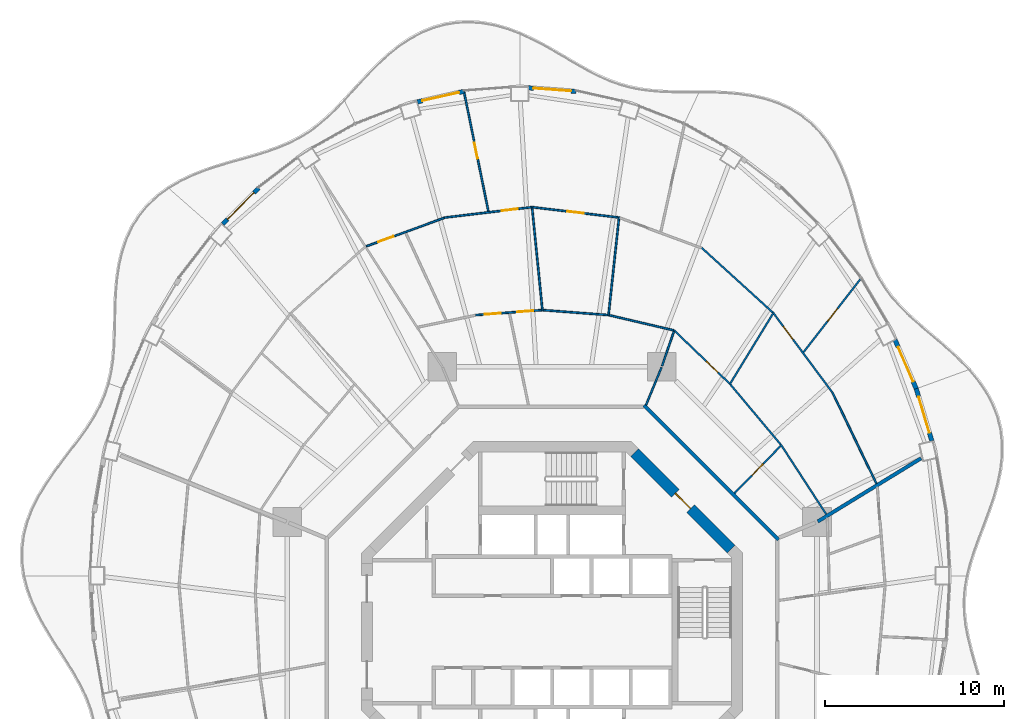
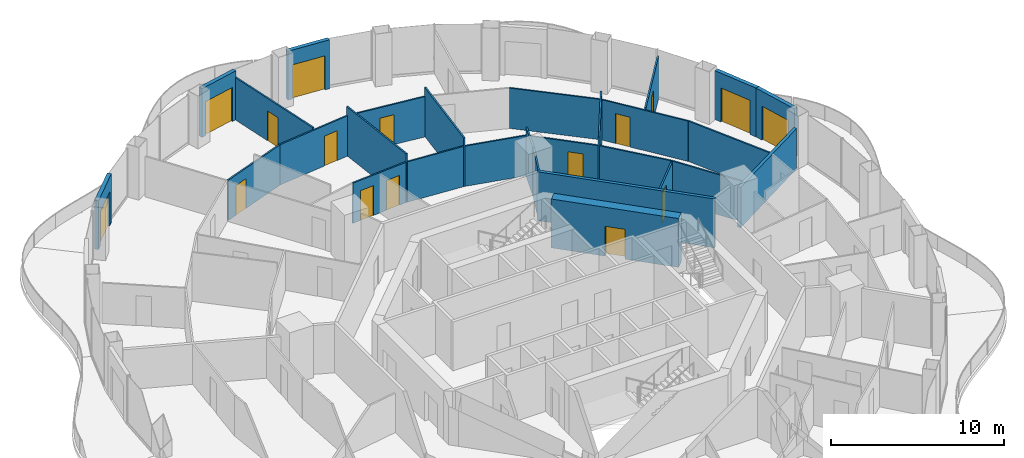
# One storey, part 14 of 18: 28 walls, 16 doors, 16 openings.
"""IFC4 building model written with IfcOpenShell, lengths in metres."""

from ifc_helpers import new_model, si_unit, direction, frame, frame_2d, origin, place, context, subcontext, project, spatial, rectangle, extrude, material, layer, layer_set, type_object, element, fill, save


model = new_model("IFC4")

# Units and contexts
model_context = context("Model", 3, precision=1e-05, world=origin(), true_north=direction((0.0, 1.0)))
body_context = subcontext(model_context, "Body", "Model", "MODEL_VIEW")
ifc_project = project(units=[si_unit("LENGTHUNIT", "METRE"), si_unit("AREAUNIT", "SQUARE_METRE"), si_unit("VOLUMEUNIT", "CUBIC_METRE"), si_unit("PLANEANGLEUNIT", "RADIAN"), si_unit("MASSUNIT", "GRAM", prefix="KILO")], contexts=[model_context])

# Site, building, storey
site_placement = place(None, origin())
site = spatial("IfcSite", under=ifc_project, at=site_placement, CompositionType="ELEMENT")
building_placement = place(site_placement, origin())
building = spatial("IfcBuilding", under=site, at=building_placement, Name="Nagisa Residences", CompositionType="ELEMENT")
storey_placement = place(building_placement, frame((0.0, 0.0, 230.699951171875)))
storey = spatial("IfcBuildingStorey", under=building, at=storey_placement, Name="L58", CompositionType="ELEMENT", Elevation=230.699951171875)

# Walls
ifc_material_1 = material(Name="Gypsum board on steel studs", Category="steel")
ifc_layer_1 = layer(ifc_material_1, 0.199951171875)
ifc_layer_set_1 = layer_set([ifc_layer_1], Name="Apartment compartment wall EI60 200")
wall_type_1 = type_object("IfcWallType", Name="Apartment compartment wall EI60 200", PredefinedType="PARTITIONING", material=ifc_layer_set_1)
wall_1_placement = place(storey_placement, frame((14.82470703125, 6.149169921875, 0.0), z_axis=(0.0, 0.0, 1.0), x_axis=(0.852781365284, 0.522268075824, 0.0)))
element("IfcWall", 1, at=wall_1_placement, inside=storey, type_object=wall_type_1, Name="wall:L58:u01", PredefinedType="PARTITIONING", context=body_context, shape_type="SweptSolid", body=[
    extrude(rectangle(XDim=6.758056640625, YDim=0.199951171875, at=frame_2d((3.37890625, 0.0))), origin(), (0.0, 0.0, 1.0), 2.837158203125),
])
ifc_material_2 = material(Name="Gypsum board on steel studs", Category="steel")
ifc_layer_2 = layer(ifc_material_2, 0.199951171875)
ifc_layer_set_2 = layer_set([ifc_layer_2], Name="Apartment entry wall EI60 200")
wall_type_2 = type_object("IfcWallType", Name="Apartment entry wall EI60 200", PredefinedType="PARTITIONING", material=ifc_layer_set_2)
wall_2_placement = place(storey_placement, frame((12.635498046875, 5.1337890625, 0.0), z_axis=(0.0, 0.0, 1.0), x_axis=(-0.707106781187, 0.707106781187, 0.0)))
element("IfcWall", 2, at=wall_2_placement, inside=storey, type_object=wall_type_2, Name="wall:L58:u11", PredefinedType="PARTITIONING", context=body_context, shape_type="SweptSolid", body=[
    extrude(rectangle(XDim=10.609130859375, YDim=0.199951171875, at=frame_2d((5.3046875, 0.0))), origin(), (0.0, 0.0, 1.0), 3.43994140625),
])
ifc_material_3 = material(Name="Gypsum board on steel studs", Category="steel")
ifc_layer_3 = layer(ifc_material_3, 0.10009765625)
ifc_layer_set_3 = layer_set([ifc_layer_3], Name="Apartment partition 100")
wall_type_3 = type_object("IfcWallType", Name="Apartment partition 100", PredefinedType="PARTITIONING", material=ifc_layer_set_3)
wall_3_placement = place(storey_placement, frame((15.295166015625, 6.554443359375, 0.0), z_axis=(0.0, 0.0, 1.0), x_axis=(-0.545186120363, 0.838315032767, 0.0)))
element("IfcWall", 3, at=wall_3_placement, inside=storey, type_object=wall_type_3, Name="wall:L58:u23", PredefinedType="PARTITIONING", context=body_context, shape_type="SweptSolid", body=[
    extrude(rectangle(XDim=4.642578125, YDim=0.10009765625, at=frame_2d((2.3212890625, 0.0))), origin(), (0.0, 0.0, 1.0), 2.837158203125),
])
wall_4_placement = place(storey_placement, frame((18.094970703125, 8.2685546875, 0.0), z_axis=(0.0, 0.0, 1.0), x_axis=(-0.434640773561, 0.900603907363, 0.0)))
element("IfcWall", 4, at=wall_4_placement, inside=storey, type_object=wall_type_3, Name="wall:L58:u24", PredefinedType="PARTITIONING", context=body_context, shape_type="SweptSolid", body=[
    extrude(rectangle(XDim=5.67431640625, YDim=0.10009765625, at=frame_2d((2.837158203125, 0.0))), origin(), (0.0, 0.0, 1.0), 2.837158203125),
])

# Wall, opening, door
wall_5_placement = place(storey_placement, frame((10.18115234375, 7.7294921875, 0.0), z_axis=(0.0, 0.0, 1.0), x_axis=(0.69841402561, 0.71569396311, 0.0)))
wall_5 = element("IfcWall", 5, at=wall_5_placement, inside=storey, type_object=wall_type_3, Name="wall:L58:u25", PredefinedType="PARTITIONING", context=body_context, shape_type="SweptSolid", body=[
    extrude(rectangle(XDim=3.6875, YDim=0.10009765625, at=frame_2d((1.84375, 0.0))), origin(), (0.0, 0.0, 1.0), 2.761962890625),
])
opening_1_placement = place(wall_5_placement, frame((1.393798828125, 0.0, 0.0)))
opening_1 = element("IfcOpeningElement", 6, at=opening_1_placement, cuts=wall_5, Name="Opening L58-U55", PredefinedType="OPENING", context=body_context, shape_type="SweptSolid", body=[
    extrude(rectangle(XDim=0.89990234375, YDim=2.10009765625, at=frame_2d((0.449951171875, 1.050048828125))), frame((0.0, 0.06005859375, 0.0), z_axis=(0.0, -1.0, 0.0), x_axis=(1.0, 0.0, 0.0)), (0.0, 0.0, 1.0), 0.1201171875),
])
ifc_material_4 = material(Name="Timber door set", Category="wood")
door_type_1 = type_object("IfcDoorType", Name="Apartment door 900x2100", OperationType="NOTDEFINED", PredefinedType="DOOR", material=ifc_material_4)
door_1_placement = place(opening_1_placement, frame((0.89990234375, 0.0, 0.0), x_axis=(-1.0, 0.0, 0.0)))
door_1 = element("IfcDoor", 7, at=door_1_placement, inside=storey, type_object=door_type_1, Name="Door to store, Apartment 58E", OperationType="SINGLE_SWING_RIGHT", OverallHeight=2.10009765625, OverallWidth=0.89990234375, PredefinedType="DOOR", context=body_context, shape_type="SweptSolid", body=[
    extrude(rectangle(XDim=0.89990234375, YDim=2.10009765625, at=frame_2d((0.449951171875, 1.050048828125))), frame((0.0, 0.02490234375, 0.0), z_axis=(0.0, -1.0, 0.0), x_axis=(1.0, 0.0, 0.0)), (0.0, 0.0, 1.0), 0.050048828125),
])
fill(opening_1, door_1)

# Wall
wall_6_placement = place(storey_placement, frame((12.75927734375, 10.442626953125, 0.0), z_axis=(0.0, 0.0, 1.0), x_axis=(-0.642225196965, 0.766516011825, 0.0)))
element("IfcWall", 8, at=wall_6_placement, inside=storey, type_object=wall_type_3, Name="wall:L58:u26", PredefinedType="PARTITIONING", context=body_context, shape_type="SweptSolid", body=[
    extrude(rectangle(XDim=4.360595703125, YDim=0.10009765625, at=frame_2d((2.18017578125, 0.0))), origin(), (0.0, 0.0, 1.0), 2.837158203125),
])

# Wall, opening, door
wall_7_placement = place(storey_placement, frame((15.62060546875, 13.3740234375, 0.0), z_axis=(0.0, 0.0, 1.0), x_axis=(-0.596165830899, 0.802861321816, 0.0)))
wall_7 = element("IfcWall", 9, at=wall_7_placement, inside=storey, type_object=wall_type_3, Name="wall:L58:u27", PredefinedType="PARTITIONING", context=body_context, shape_type="SweptSolid", body=[
    extrude(rectangle(XDim=5.5419921875, YDim=0.10009765625, at=frame_2d((2.77099609375, 0.0))), origin(), (0.0, 0.0, 1.0), 2.837158203125),
])
opening_2_placement = place(wall_7_placement, frame((3.656494140625, 0.0, 0.0)))
opening_2 = element("IfcOpeningElement", 10, at=opening_2_placement, cuts=wall_7, Name="Opening L58-U53", PredefinedType="OPENING", context=body_context, shape_type="SweptSolid", body=[
    extrude(rectangle(XDim=0.89990234375, YDim=2.10009765625, at=frame_2d((0.449951171875, 1.050048828125))), frame((0.0, 0.06005859375, 0.0), z_axis=(0.0, -1.0, 0.0), x_axis=(1.0, 0.0, 0.0)), (0.0, 0.0, 1.0), 0.1201171875),
])
door_2_placement = place(opening_2_placement, origin())
door_2 = element("IfcDoor", 11, at=door_2_placement, inside=storey, type_object=door_type_1, Name="Door to family room, Apartment 58E", OperationType="SINGLE_SWING_LEFT", OverallHeight=2.10009765625, OverallWidth=0.89990234375, PredefinedType="DOOR", context=body_context, shape_type="SweptSolid", body=[
    extrude(rectangle(XDim=0.89990234375, YDim=2.10009765625, at=frame_2d((0.449951171875, 1.050048828125))), frame((0.0, 0.02490234375, 0.0), z_axis=(0.0, -1.0, 0.0), x_axis=(1.0, 0.0, 0.0)), (0.0, 0.0, 1.0), 0.050048828125),
])
fill(opening_2, door_2)

wall_8_placement = place(storey_placement, frame((14.029052734375, 15.597900390625, 0.0), z_axis=(0.0, 0.0, 1.0), x_axis=(0.614558710688, 0.788871086501, 0.0)))
wall_8 = element("IfcWall", 12, at=wall_8_placement, inside=storey, type_object=wall_type_3, Name="wall:L58:u28", PredefinedType="PARTITIONING", context=body_context, shape_type="SweptSolid", body=[
    extrude(rectangle(XDim=5.276123046875, YDim=0.10009765625, at=frame_2d((2.63818359375, 0.0))), origin(), (0.0, 0.0, 1.0), 2.983154296875),
])
opening_3_placement = place(wall_8_placement, frame((2.18798828125, 0.0, 0.0)))
opening_3 = element("IfcOpeningElement", 13, at=opening_3_placement, cuts=wall_8, Name="Opening L58-U54", PredefinedType="OPENING", context=body_context, shape_type="SweptSolid", body=[
    extrude(rectangle(XDim=0.89990234375, YDim=2.10009765625, at=frame_2d((0.449951171875, 1.050048828125))), frame((0.0, 0.06005859375, 0.0), z_axis=(0.0, -1.0, 0.0), x_axis=(1.0, 0.0, 0.0)), (0.0, 0.0, 1.0), 0.1201171875),
])
door_3_placement = place(opening_3_placement, frame((0.89990234375, 0.0, 0.0), x_axis=(-1.0, 0.0, 0.0)))
door_3 = element("IfcDoor", 14, at=door_3_placement, inside=storey, type_object=door_type_1, Name="Door to master bedroom, Apartment 58E", OperationType="SINGLE_SWING_LEFT", OverallHeight=2.10009765625, OverallWidth=0.89990234375, PredefinedType="DOOR", context=body_context, shape_type="SweptSolid", body=[
    extrude(rectangle(XDim=0.89990234375, YDim=2.10009765625, at=frame_2d((0.449951171875, 1.050048828125))), frame((0.0, 0.02490234375, 0.0), z_axis=(0.0, -1.0, 0.0), x_axis=(1.0, 0.0, 0.0)), (0.0, 0.0, 1.0), 0.050048828125),
])
fill(opening_3, door_3)

# Wall
wall_9_placement = place(storey_placement, frame((9.900390625, 13.78076171875, 0.0), z_axis=(0.0, 0.0, 1.0), x_axis=(0.521464905534, 0.853272730313, 0.0)))
element("IfcWall", 15, at=wall_9_placement, inside=storey, type_object=wall_type_3, Name="wall:L58:u29", PredefinedType="PARTITIONING", context=body_context, shape_type="SweptSolid", body=[
    extrude(rectangle(XDim=4.640625, YDim=0.10009765625, at=frame_2d((2.3203125, 0.0))), origin(), (0.0, 0.0, 1.0), 3.43994140625),
])

# Wall, opening, door
wall_10_placement = place(storey_placement, frame((9.890380859375, 13.858154296875, 0.0), z_axis=(0.0, 0.0, 1.0), x_axis=(-0.72167233993, 0.692234811159, 0.0)))
wall_10 = element("IfcWall", 16, at=wall_10_placement, inside=storey, type_object=wall_type_3, Name="wall:L58:u30", PredefinedType="PARTITIONING", context=body_context, shape_type="SweptSolid", body=[
    extrude(rectangle(XDim=4.312744140625, YDim=0.10009765625, at=frame_2d((2.15625, 0.0))), origin(), (0.0, 0.0, 1.0), 2.837158203125),
])
opening_4_placement = place(wall_10_placement, frame((0.882568359375, 0.0, 0.0)))
opening_4 = element("IfcOpeningElement", 17, at=opening_4_placement, cuts=wall_10, Name="Opening L58-U52", PredefinedType="OPENING", context=body_context, shape_type="SweptSolid", body=[
    extrude(rectangle(XDim=0.89990234375, YDim=2.10009765625, at=frame_2d((0.449951171875, 1.050048828125))), frame((0.0, 0.06005859375, 0.0), z_axis=(0.0, -1.0, 0.0), x_axis=(1.0, 0.0, 0.0)), (0.0, 0.0, 1.0), 0.1201171875),
])
door_4_placement = place(opening_4_placement, origin())
door_4 = element("IfcDoor", 18, at=door_4_placement, inside=storey, type_object=door_type_1, Name="Door to laundry, Apartment 58E", OperationType="SINGLE_SWING_RIGHT", OverallHeight=2.10009765625, OverallWidth=0.89990234375, PredefinedType="DOOR", context=body_context, shape_type="SweptSolid", body=[
    extrude(rectangle(XDim=0.89990234375, YDim=2.10009765625, at=frame_2d((0.449951171875, 1.050048828125))), frame((0.0, 0.02490234375, 0.0), z_axis=(0.0, -1.0, 0.0), x_axis=(1.0, 0.0, 0.0)), (0.0, 0.0, 1.0), 0.050048828125),
])
fill(opening_4, door_4)

# Walls
wall_11_placement = place(storey_placement, frame((12.3095703125, 17.81689453125, 0.0), z_axis=(0.0, 0.0, 1.0), x_axis=(-0.739697052892, 0.672940019573, 0.0)))
element("IfcWall", 19, at=wall_11_placement, inside=storey, type_object=wall_type_3, Name="wall:L58:u31", PredefinedType="PARTITIONING", context=body_context, shape_type="SweptSolid", body=[
    extrude(rectangle(XDim=5.364990234375, YDim=0.10009765625, at=frame_2d((2.6826171875, 0.0))), origin(), (0.0, 0.0, 1.0), 2.837158203125),
])
wall_12_placement = place(storey_placement, frame((5.24267578125, 12.6572265625, 0.0), z_axis=(0.0, 0.0, 1.0), x_axis=(0.382719158442, 0.923864733477, 0.0)))
element("IfcWall", 20, at=wall_12_placement, inside=storey, type_object=wall_type_3, Name="wall:L58:u32", PredefinedType="PARTITIONING", context=body_context, shape_type="SweptSolid", body=[
    extrude(rectangle(XDim=2.25, YDim=0.10009765625, at=frame_2d((1.125, 0.0))), origin(), (0.0, 0.0, 1.0), 3.43994140625),
])
wall_13_placement = place(storey_placement, frame((6.13916015625, 14.829345703125, 0.0), z_axis=(0.0, 0.0, 1.0), x_axis=(0.32278593828, 0.946471995385, 0.0)))
element("IfcWall", 21, at=wall_13_placement, inside=storey, type_object=wall_type_3, Name="wall:L58:u33", PredefinedType="PARTITIONING", context=body_context, shape_type="SweptSolid", body=[
    extrude(rectangle(XDim=2.04150390625, YDim=0.10009765625, at=frame_2d((1.020751953125, 0.0))), origin(), (0.0, 0.0, 1.0), 3.43994140625),
])
wall_14_placement = place(storey_placement, frame((6.765625, 16.8203125, 0.0), z_axis=(0.0, 0.0, 1.0), x_axis=(-0.973612608559, 0.22820711745, 0.0)))
element("IfcWall", 22, at=wall_14_placement, inside=storey, type_object=wall_type_3, Name="wall:L58:u34", PredefinedType="PARTITIONING", context=body_context, shape_type="SweptSolid", body=[
    extrude(rectangle(XDim=3.6630859375, YDim=0.10009765625, at=frame_2d((1.83154296875, 0.0))), origin(), (0.0, 0.0, 1.0), 2.837158203125),
])
wall_15_placement = place(storey_placement, frame((3.145263671875, 17.617919921875, 0.0), z_axis=(0.0, 0.0, 1.0), x_axis=(0.106820754108, 0.994278294288, 0.0)))
element("IfcWall", 23, at=wall_15_placement, inside=storey, type_object=wall_type_3, Name="wall:L58:u37", PredefinedType="PARTITIONING", context=body_context, shape_type="SweptSolid", body=[
    extrude(rectangle(XDim=5.574462890625, YDim=0.10009765625, at=frame_2d((2.787109375, 0.0))), origin(), (0.0, 0.0, 1.0), 3.43994140625),
])
wall_16_placement = place(storey_placement, frame((3.1005859375, 17.67138671875, 0.0), z_axis=(0.0, 0.0, 1.0), x_axis=(-0.997133705575, 0.075659587668, 0.0)))
element("IfcWall", 24, at=wall_16_placement, inside=storey, type_object=wall_type_3, Name="wall:L58:u38", PredefinedType="PARTITIONING", context=body_context, shape_type="SweptSolid", body=[
    extrude(rectangle(XDim=3.60107421875, YDim=0.10009765625, at=frame_2d((1.800537109375, 0.0))), origin(), (0.0, 0.0, 1.0), 2.837158203125),
])

# Wall, opening, door
wall_17_placement = place(storey_placement, frame((3.685791015625, 23.11669921875, 0.0), z_axis=(0.0, 0.0, 1.0), x_axis=(-0.992965872314, 0.11840091393, 0.0)))
wall_17 = element("IfcWall", 25, at=wall_17_placement, inside=storey, type_object=wall_type_3, Name="wall:L58:u39", PredefinedType="PARTITIONING", context=body_context, shape_type="SweptSolid", body=[
    extrude(rectangle(XDim=4.785888671875, YDim=0.10009765625, at=frame_2d((2.39306640625, 0.0))), origin(), (0.0, 0.0, 1.0), 2.837158203125),
])
opening_5_placement = place(wall_17_placement, frame((1.94287109375, 0.0, 0.0)))
opening_5 = element("IfcOpeningElement", 26, at=opening_5_placement, cuts=wall_17, Name="Opening L58-U49", PredefinedType="OPENING", context=body_context, shape_type="SweptSolid", body=[
    extrude(rectangle(XDim=0.89990234375, YDim=2.10009765625, at=frame_2d((0.449951171875, 1.050048828125))), frame((0.0, 0.06005859375, 0.0), z_axis=(0.0, -1.0, 0.0), x_axis=(1.0, 0.0, 0.0)), (0.0, 0.0, 1.0), 0.1201171875),
])
door_5_placement = place(opening_5_placement, origin())
door_5 = element("IfcDoor", 27, at=door_5_placement, inside=storey, type_object=door_type_1, Name="Door to family room, Apartment 58E", OperationType="SINGLE_SWING_LEFT", OverallHeight=2.10009765625, OverallWidth=0.89990234375, PredefinedType="DOOR", context=body_context, shape_type="SweptSolid", body=[
    extrude(rectangle(XDim=0.89990234375, YDim=2.10009765625, at=frame_2d((0.449951171875, 1.050048828125))), frame((0.0, 0.02490234375, 0.0), z_axis=(0.0, -1.0, 0.0), x_axis=(1.0, 0.0, 0.0)), (0.0, 0.0, 1.0), 0.050048828125),
])
fill(opening_5, door_5)

# Wall
wall_18_placement = place(storey_placement, frame((-0.534912109375, 17.89794921875, 0.0), z_axis=(0.0, 0.0, 1.0), x_axis=(-0.099853714131, 0.995002128527, 0.0)))
element("IfcWall", 28, at=wall_18_placement, inside=storey, type_object=wall_type_3, Name="wall:L58:u40", PredefinedType="PARTITIONING", context=body_context, shape_type="SweptSolid", body=[
    extrude(rectangle(XDim=5.870361328125, YDim=0.10009765625, at=frame_2d((2.93505859375, 0.0))), origin(), (0.0, 0.0, 1.0), 3.43994140625),
])

# Wall, openings, doors
wall_19_placement = place(storey_placement, frame((-0.58984375, 17.94384765625, 0.0), z_axis=(0.0, 0.0, 1.0), x_axis=(-0.997133495787, -0.075662352452, 0.0)))
wall_19 = element("IfcWall", 29, at=wall_19_placement, inside=storey, type_object=wall_type_3, Name="wall:L58:u41", PredefinedType="PARTITIONING", context=body_context, shape_type="SweptSolid", body=[
    extrude(rectangle(XDim=3.700927734375, YDim=0.10009765625, at=frame_2d((1.8505859375, 0.0))), origin(), (0.0, 0.0, 1.0), 2.837158203125),
])
opening_6_placement = place(wall_19_placement, frame((2.27587890625, 0.0, 0.0)))
opening_6 = element("IfcOpeningElement", 30, at=opening_6_placement, cuts=wall_19, Name="Opening L58-U40", PredefinedType="OPENING", context=body_context, shape_type="SweptSolid", body=[
    extrude(rectangle(XDim=0.89990234375, YDim=2.10009765625, at=frame_2d((0.449951171875, 1.050048828125))), frame((0.0, 0.06005859375, 0.0), z_axis=(0.0, -1.0, 0.0), x_axis=(1.0, 0.0, 0.0)), (0.0, 0.0, 1.0), 0.1201171875),
])
opening_7_placement = place(wall_19_placement, frame((0.4501953125, 0.0, 0.0)))
opening_7 = element("IfcOpeningElement", 31, at=opening_7_placement, cuts=wall_19, Name="Opening L58-U47", PredefinedType="OPENING", context=body_context, shape_type="SweptSolid", body=[
    extrude(rectangle(XDim=0.89990234375, YDim=2.10009765625, at=frame_2d((0.449951171875, 1.050048828125))), frame((0.0, 0.06005859375, 0.0), z_axis=(0.0, -1.0, 0.0), x_axis=(1.0, 0.0, 0.0)), (0.0, 0.0, 1.0), 0.1201171875),
])
door_6_placement = place(opening_6_placement, frame((0.89990234375, 0.0, 0.0), x_axis=(-1.0, 0.0, 0.0)))
door_6 = element("IfcDoor", 32, at=door_6_placement, inside=storey, type_object=door_type_1, Name="Door to kitchen, Apartment 58E", OperationType="SINGLE_SWING_LEFT", OverallHeight=2.10009765625, OverallWidth=0.89990234375, PredefinedType="DOOR", context=body_context, shape_type="SweptSolid", body=[
    extrude(rectangle(XDim=0.89990234375, YDim=2.10009765625, at=frame_2d((0.449951171875, 1.050048828125))), frame((0.0, 0.02490234375, 0.0), z_axis=(0.0, -1.0, 0.0), x_axis=(1.0, 0.0, 0.0)), (0.0, 0.0, 1.0), 0.050048828125),
])
fill(opening_6, door_6)
door_7_placement = place(opening_7_placement, origin())
door_7 = element("IfcDoor", 33, at=door_7_placement, inside=storey, type_object=door_type_1, Name="Door to store, Apartment 58E", OperationType="SINGLE_SWING_LEFT", OverallHeight=2.10009765625, OverallWidth=0.89990234375, PredefinedType="DOOR", context=body_context, shape_type="SweptSolid", body=[
    extrude(rectangle(XDim=0.89990234375, YDim=2.10009765625, at=frame_2d((0.449951171875, 1.050048828125))), frame((0.0, 0.02490234375, 0.0), z_axis=(0.0, -1.0, 0.0), x_axis=(1.0, 0.0, 0.0)), (0.0, 0.0, 1.0), 0.050048828125),
])
fill(opening_7, door_7)

# Wall, opening, door
wall_20_placement = place(storey_placement, frame((-1.165771484375, 23.683349609375, 0.0), z_axis=(0.0, 0.0, 1.0), x_axis=(-0.992961712415, -0.118435795593, 0.0)))
wall_20 = element("IfcWall", 34, at=wall_20_placement, inside=storey, type_object=wall_type_3, Name="wall:L58:u42", PredefinedType="PARTITIONING", context=body_context, shape_type="SweptSolid", body=[
    extrude(rectangle(XDim=4.885498046875, YDim=0.10009765625, at=frame_2d((2.44287109375, 0.0))), origin(), (0.0, 0.0, 1.0), 2.837158203125),
])
opening_8_placement = place(wall_20_placement, frame((0.746337890625, 0.0, 0.0)))
opening_8 = element("IfcOpeningElement", 35, at=opening_8_placement, cuts=wall_20, Name="Opening L58-U43", PredefinedType="OPENING", context=body_context, shape_type="SweptSolid", body=[
    extrude(rectangle(XDim=0.89990234375, YDim=2.10009765625, at=frame_2d((0.449951171875, 1.050048828125))), frame((0.0, 0.06005859375, 0.0), z_axis=(0.0, -1.0, 0.0), x_axis=(1.0, 0.0, 0.0)), (0.0, 0.0, 1.0), 0.1201171875),
])
door_8_placement = place(opening_8_placement, frame((0.89990234375, 0.0, 0.0), x_axis=(-1.0, 0.0, 0.0)))
door_8 = element("IfcDoor", 36, at=door_8_placement, inside=storey, type_object=door_type_1, Name="Door to family room, Apartment 58E", OperationType="SINGLE_SWING_RIGHT", OverallHeight=2.10009765625, OverallWidth=0.89990234375, PredefinedType="DOOR", context=body_context, shape_type="SweptSolid", body=[
    extrude(rectangle(XDim=0.89990234375, YDim=2.10009765625, at=frame_2d((0.449951171875, 1.050048828125))), frame((0.0, 0.02490234375, 0.0), z_axis=(0.0, -1.0, 0.0), x_axis=(1.0, 0.0, 0.0)), (0.0, 0.0, 1.0), 0.050048828125),
])
fill(opening_8, door_8)

wall_21_placement = place(storey_placement, frame((-3.5517578125, 23.448974609375, 0.0), z_axis=(0.0, 0.0, 1.0), x_axis=(-0.199593197846, 0.979878847294, 0.0)))
wall_21 = element("IfcWall", 37, at=wall_21_placement, inside=storey, type_object=wall_type_3, Name="wall:L58:u44", PredefinedType="PARTITIONING", context=body_context, shape_type="SweptSolid", body=[
    extrude(rectangle(XDim=6.924560546875, YDim=0.10009765625, at=frame_2d((3.46240234375, 0.0))), origin(), (0.0, 0.0, 1.0), 2.983154296875),
])
opening_9_placement = place(wall_21_placement, frame((3.01220703125, 0.0, 0.0)))
opening_9 = element("IfcOpeningElement", 38, at=opening_9_placement, cuts=wall_21, Name="Opening L58-U44", PredefinedType="OPENING", context=body_context, shape_type="SweptSolid", body=[
    extrude(rectangle(XDim=0.89990234375, YDim=2.10009765625, at=frame_2d((0.449951171875, 1.050048828125))), frame((0.0, 0.06005859375, 0.0), z_axis=(0.0, -1.0, 0.0), x_axis=(1.0, 0.0, 0.0)), (0.0, 0.0, 1.0), 0.1201171875),
])
door_9_placement = place(opening_9_placement, origin())
door_9 = element("IfcDoor", 39, at=door_9_placement, inside=storey, type_object=door_type_1, Name="Door to master bedroom, Apartment 58E", OperationType="SINGLE_SWING_RIGHT", OverallHeight=2.10009765625, OverallWidth=0.89990234375, PredefinedType="DOOR", context=body_context, shape_type="SweptSolid", body=[
    extrude(rectangle(XDim=0.89990234375, YDim=2.10009765625, at=frame_2d((0.449951171875, 1.050048828125))), frame((0.0, 0.02490234375, 0.0), z_axis=(0.0, -1.0, 0.0), x_axis=(1.0, 0.0, 0.0)), (0.0, 0.0, 1.0), 0.050048828125),
])
fill(opening_9, door_9)

wall_22_placement = place(storey_placement, frame((-6.01416015625, 23.093505859375, 0.0), z_axis=(0.0, 0.0, 1.0), x_axis=(-0.939417400947, -0.342775359089, 0.0)))
wall_22 = element("IfcWall", 40, at=wall_22_placement, inside=storey, type_object=wall_type_3, Name="wall:L58:u46", PredefinedType="PARTITIONING", context=body_context, shape_type="SweptSolid", body=[
    extrude(rectangle(XDim=4.632568359375, YDim=0.10009765625, at=frame_2d((2.31640625, 0.0))), origin(), (0.0, 0.0, 1.0), 2.837158203125),
])
opening_10_placement = place(wall_22_placement, frame((3.0244140625, 0.0, 0.0)))
opening_10 = element("IfcOpeningElement", 41, at=opening_10_placement, cuts=wall_22, Name="Opening L58-U50", PredefinedType="OPENING", context=body_context, shape_type="SweptSolid", body=[
    extrude(rectangle(XDim=0.89990234375, YDim=2.10009765625, at=frame_2d((0.449951171875, 1.050048828125))), frame((0.0, 0.06005859375, 0.0), z_axis=(0.0, -1.0, 0.0), x_axis=(1.0, 0.0, 0.0)), (0.0, 0.0, 1.0), 0.1201171875),
])
door_10_placement = place(opening_10_placement, origin())
door_10 = element("IfcDoor", 42, at=door_10_placement, inside=storey, type_object=door_type_1, Name="Door to en-suite bathroom, Apartment 58E", OperationType="SINGLE_SWING_RIGHT", OverallHeight=2.10009765625, OverallWidth=0.89990234375, PredefinedType="DOOR", context=body_context, shape_type="SweptSolid", body=[
    extrude(rectangle(XDim=0.89990234375, YDim=2.10009765625, at=frame_2d((0.449951171875, 1.050048828125))), frame((0.0, 0.02490234375, 0.0), z_axis=(0.0, -1.0, 0.0), x_axis=(1.0, 0.0, 0.0)), (0.0, 0.0, 1.0), 0.050048828125),
])
fill(opening_10, door_10)

ifc_material_5 = material(Name="Precast concrete C40/50", Category="concrete")
ifc_layer_4 = layer(ifc_material_5, 0.25)
ifc_layer_set_4 = layer_set([ifc_layer_4], Name="BALCONY DOOR WALL 250")
wall_type_4 = type_object("IfcWallType", Name="BALCONY DOOR WALL 250", PredefinedType="SOLIDWALL", material=ifc_layer_set_4)
wall_23_placement = place(storey_placement, frame((20.318115234375, 13.563720703125, 0.0), z_axis=(0.0, 0.0, 1.0), x_axis=(0.285785716255, -0.958293548128, 0.0)))
wall_23 = element("IfcWall", 43, at=wall_23_placement, inside=storey, type_object=wall_type_4, Name="wall:L58:bay02", PredefinedType="SOLIDWALL", context=body_context, shape_type="SweptSolid", body=[
    extrude(rectangle(XDim=3.040283203125, YDim=0.25, at=frame_2d((1.52001953125, 0.0))), origin(), (0.0, 0.0, 1.0), 3.43994140625),
])
opening_11_placement = place(wall_23_placement, frame((0.47021484375, 0.0, 0.0)))
opening_11 = element("IfcOpeningElement", 44, at=opening_11_placement, cuts=wall_23, Name="Opening BD-L58-01", PredefinedType="OPENING", context=body_context, shape_type="SweptSolid", body=[
    extrude(rectangle(XDim=2.10009765625, YDim=2.39990234375, at=frame_2d((1.050048828125, 1.199951171875))), frame((0.0, 0.135009765625, 0.0), z_axis=(0.0, -1.0, 0.0), x_axis=(1.0, 0.0, 0.0)), (0.0, 0.0, 1.0), 0.27001953125),
])
ifc_material_6 = material(Name="Aluminium and clear glass", Category="aluminium")
door_type_2 = type_object("IfcDoorType", Name="BALCONY SLIDING DOOR 2100x2400", OperationType="SLIDING_TO_LEFT", PredefinedType="DOOR", material=ifc_material_6)
door_11_placement = place(opening_11_placement, origin())
door_11 = element("IfcDoor", 45, at=door_11_placement, inside=storey, type_object=door_type_2, Name="door:L58:bay02", OperationType="SLIDING_TO_LEFT", OverallHeight=2.39990234375, OverallWidth=2.10009765625, PredefinedType="DOOR", context=body_context, shape_type="SweptSolid", body=[
    extrude(rectangle(XDim=2.10009765625, YDim=2.39990234375, at=frame_2d((1.050048828125, 1.199951171875))), frame((0.0, 0.02490234375, 0.0), z_axis=(0.0, -1.0, 0.0), x_axis=(1.0, 0.0, 0.0)), (0.0, 0.0, 1.0), 0.050048828125),
])
fill(opening_11, door_11)

wall_24_placement = place(storey_placement, frame((19.12939453125, 16.30419921875, 0.0), z_axis=(0.0, 0.0, 1.0), x_axis=(0.397616567135, -0.917551669139, 0.0)))
wall_24 = element("IfcWall", 46, at=wall_24_placement, inside=storey, type_object=wall_type_4, Name="wall:L58:bay03", PredefinedType="SOLIDWALL", context=body_context, shape_type="SweptSolid", body=[
    extrude(rectangle(XDim=3.001953125, YDim=0.25, at=frame_2d((1.5009765625, 0.0))), origin(), (0.0, 0.0, 1.0), 3.43994140625),
])
opening_12_placement = place(wall_24_placement, frame((0.450927734375, 0.0, 0.0)))
opening_12 = element("IfcOpeningElement", 47, at=opening_12_placement, cuts=wall_24, Name="Opening BD-L58-02", PredefinedType="OPENING", context=body_context, shape_type="SweptSolid", body=[
    extrude(rectangle(XDim=2.10009765625, YDim=2.39990234375, at=frame_2d((1.050048828125, 1.199951171875))), frame((0.0, 0.135009765625, 0.0), z_axis=(0.0, -1.0, 0.0), x_axis=(1.0, 0.0, 0.0)), (0.0, 0.0, 1.0), 0.27001953125),
])
door_12_placement = place(opening_12_placement, origin())
door_12 = element("IfcDoor", 48, at=door_12_placement, inside=storey, type_object=door_type_2, Name="door:L58:bay03", OperationType="SLIDING_TO_LEFT", OverallHeight=2.39990234375, OverallWidth=2.10009765625, PredefinedType="DOOR", context=body_context, shape_type="SweptSolid", body=[
    extrude(rectangle(XDim=2.10009765625, YDim=2.39990234375, at=frame_2d((1.050048828125, 1.199951171875))), frame((0.0, 0.02490234375, 0.0), z_axis=(0.0, -1.0, 0.0), x_axis=(1.0, 0.0, 0.0)), (0.0, 0.0, 1.0), 0.050048828125),
])
fill(opening_12, door_12)

wall_25_placement = place(storey_placement, frame((-1.310791015625, 30.345947265625, 0.0), z_axis=(0.0, 0.0, 1.0), x_axis=(0.997226890587, -0.074421291918, 0.0)))
wall_25 = element("IfcWall", 49, at=wall_25_placement, inside=storey, type_object=wall_type_4, Name="wall:L58:bay11", PredefinedType="SOLIDWALL", context=body_context, shape_type="SweptSolid", body=[
    extrude(rectangle(XDim=2.650634765625, YDim=0.25, at=frame_2d((1.3251953125, 0.0))), origin(), (0.0, 0.0, 1.0), 3.43994140625),
])
opening_13_placement = place(wall_25_placement, frame((0.275146484375, 0.0, 0.0)))
opening_13 = element("IfcOpeningElement", 50, at=opening_13_placement, cuts=wall_25, Name="Opening BD-L58-04", PredefinedType="OPENING", context=body_context, shape_type="SweptSolid", body=[
    extrude(rectangle(XDim=2.10009765625, YDim=2.39990234375, at=frame_2d((1.050048828125, 1.199951171875))), frame((0.0, 0.135009765625, 0.0), z_axis=(0.0, -1.0, 0.0), x_axis=(1.0, 0.0, 0.0)), (0.0, 0.0, 1.0), 0.27001953125),
])
door_13_placement = place(opening_13_placement, origin())
door_13 = element("IfcDoor", 51, at=door_13_placement, inside=storey, type_object=door_type_2, Name="door:L58:bay11", OperationType="SLIDING_TO_LEFT", OverallHeight=2.39990234375, OverallWidth=2.10009765625, PredefinedType="DOOR", context=body_context, shape_type="SweptSolid", body=[
    extrude(rectangle(XDim=2.10009765625, YDim=2.39990234375, at=frame_2d((1.050048828125, 1.199951171875))), frame((0.0, 0.02490234375, 0.0), z_axis=(0.0, -1.0, 0.0), x_axis=(1.0, 0.0, 0.0)), (0.0, 0.0, 1.0), 0.050048828125),
])
fill(opening_13, door_13)

wall_26_placement = place(storey_placement, frame((-7.514404296875, 29.562744140625, 0.0), z_axis=(0.0, 0.0, 1.0), x_axis=(0.975324089124, 0.220777990694, 0.0)))
wall_26 = element("IfcWall", 52, at=wall_26_placement, inside=storey, type_object=wall_type_4, Name="wall:L58:bay13", PredefinedType="SOLIDWALL", context=body_context, shape_type="SweptSolid", body=[
    extrude(rectangle(XDim=2.666015625, YDim=0.25, at=frame_2d((1.3330078125, 0.0))), origin(), (0.0, 0.0, 1.0), 3.43994140625),
])
opening_14_placement = place(wall_26_placement, frame((0.282958984375, 0.0, 0.0)))
opening_14 = element("IfcOpeningElement", 53, at=opening_14_placement, cuts=wall_26, Name="Opening BD-L58-05", PredefinedType="OPENING", context=body_context, shape_type="SweptSolid", body=[
    extrude(rectangle(XDim=2.10009765625, YDim=2.39990234375, at=frame_2d((1.050048828125, 1.199951171875))), frame((0.0, 0.135009765625, 0.0), z_axis=(0.0, -1.0, 0.0), x_axis=(1.0, 0.0, 0.0)), (0.0, 0.0, 1.0), 0.27001953125),
])
door_14_placement = place(opening_14_placement, origin())
door_14 = element("IfcDoor", 54, at=door_14_placement, inside=storey, type_object=door_type_2, Name="door:L58:bay13", OperationType="SLIDING_TO_LEFT", OverallHeight=2.39990234375, OverallWidth=2.10009765625, PredefinedType="DOOR", context=body_context, shape_type="SweptSolid", body=[
    extrude(rectangle(XDim=2.10009765625, YDim=2.39990234375, at=frame_2d((1.050048828125, 1.199951171875))), frame((0.0, 0.02490234375, 0.0), z_axis=(0.0, -1.0, 0.0), x_axis=(1.0, 0.0, 0.0)), (0.0, 0.0, 1.0), 0.050048828125),
])
fill(opening_14, door_14)

wall_27_placement = place(storey_placement, frame((-18.3779296875, 22.75, 0.0), z_axis=(0.0, 0.0, 1.0), x_axis=(0.707835955654, 0.706376854012, 0.0)))
wall_27 = element("IfcWall", 55, at=wall_27_placement, inside=storey, type_object=wall_type_4, Name="wall:L58:bay17", PredefinedType="SOLIDWALL", context=body_context, shape_type="SweptSolid", body=[
    extrude(rectangle(XDim=2.844482421875, YDim=0.25, at=frame_2d((1.42236328125, 0.0))), origin(), (0.0, 0.0, 1.0), 3.43994140625),
])
opening_15_placement = place(wall_27_placement, frame((0.3720703125, 0.0, 0.0)))
opening_15 = element("IfcOpeningElement", 56, at=opening_15_placement, cuts=wall_27, Name="Opening BD-L58-06", PredefinedType="OPENING", context=body_context, shape_type="SweptSolid", body=[
    extrude(rectangle(XDim=2.10009765625, YDim=2.39990234375, at=frame_2d((1.050048828125, 1.199951171875))), frame((0.0, 0.135009765625, 0.0), z_axis=(0.0, -1.0, 0.0), x_axis=(1.0, 0.0, 0.0)), (0.0, 0.0, 1.0), 0.27001953125),
])
door_15_placement = place(opening_15_placement, origin())
door_15 = element("IfcDoor", 57, at=door_15_placement, inside=storey, type_object=door_type_2, Name="door:L58:bay17", OperationType="SLIDING_TO_LEFT", OverallHeight=2.39990234375, OverallWidth=2.10009765625, PredefinedType="DOOR", context=body_context, shape_type="SweptSolid", body=[
    extrude(rectangle(XDim=2.10009765625, YDim=2.39990234375, at=frame_2d((1.050048828125, 1.199951171875))), frame((0.0, 0.02490234375, 0.0), z_axis=(0.0, -1.0, 0.0), x_axis=(1.0, 0.0, 0.0)), (0.0, 0.0, 1.0), 0.050048828125),
])
fill(opening_15, door_15)

ifc_material_7 = material(Name="Concrete C60", Category="concrete")
ifc_layer_5 = layer(ifc_material_7, 0.60009765625)
ifc_layer_set_5 = layer_set([ifc_layer_5], Name="Core shear wall 600")
wall_type_5 = type_object("IfcWallType", Name="Core shear wall 600", PredefinedType="SHEAR", material=ifc_layer_set_5)
wall_28_placement = place(storey_placement, frame((9.98828125, 4.613037109375, 0.0), z_axis=(0.0, 0.0, 1.0), x_axis=(-0.707106781187, 0.707106781187, 0.0)))
wall_28 = element("IfcWall", 58, at=wall_28_placement, inside=storey, type_object=wall_type_5, Name="wall:L58:core:flat1", PredefinedType="SHEAR", context=body_context, shape_type="SweptSolid", body=[
    extrude(rectangle(XDim=7.601806640625, YDim=0.60009765625, at=frame_2d((3.80078125, 0.0))), origin(), (0.0, 0.0, 1.0), 3.43994140625),
])
opening_16_placement = place(wall_28_placement, frame((3.200927734375, 0.0, 0.0)))
opening_16 = element("IfcOpeningElement", 59, at=opening_16_placement, cuts=wall_28, Name="Opening L58-C17", PredefinedType="OPENING", context=body_context, shape_type="SweptSolid", body=[
    extrude(rectangle(XDim=1.199951171875, YDim=2.10009765625, at=frame_2d((0.60009765625, 1.050048828125))), frame((0.0, 0.31005859375, 0.0), z_axis=(0.0, -1.0, 0.0), x_axis=(1.0, 0.0, 0.0)), (0.0, 0.0, 1.0), 0.6201171875),
])
ifc_material_8 = material(Name="Steel fire door", Category="steel")
door_type_3 = type_object("IfcDoorType", Name="Fire door EI60 1200x2100 single swing", OperationType="NOTDEFINED", PredefinedType="DOOR", material=ifc_material_8)
door_16_placement = place(opening_16_placement, origin())
door_16 = element("IfcDoor", 60, at=door_16_placement, inside=storey, type_object=door_type_3, Name="Firefighting lobby 1 door L58", OperationType="SINGLE_SWING_LEFT", OverallHeight=2.10009765625, OverallWidth=1.199951171875, PredefinedType="DOOR", context=body_context, shape_type="SweptSolid", body=[
    extrude(rectangle(XDim=1.199951171875, YDim=2.10009765625, at=frame_2d((0.60009765625, 1.050048828125))), frame((0.0, 0.02490234375, 0.0), z_axis=(0.0, -1.0, 0.0), x_axis=(1.0, 0.0, 0.0)), (0.0, 0.0, 1.0), 0.050048828125),
])
fill(opening_16, door_16)

save(model, "model.ifc")
